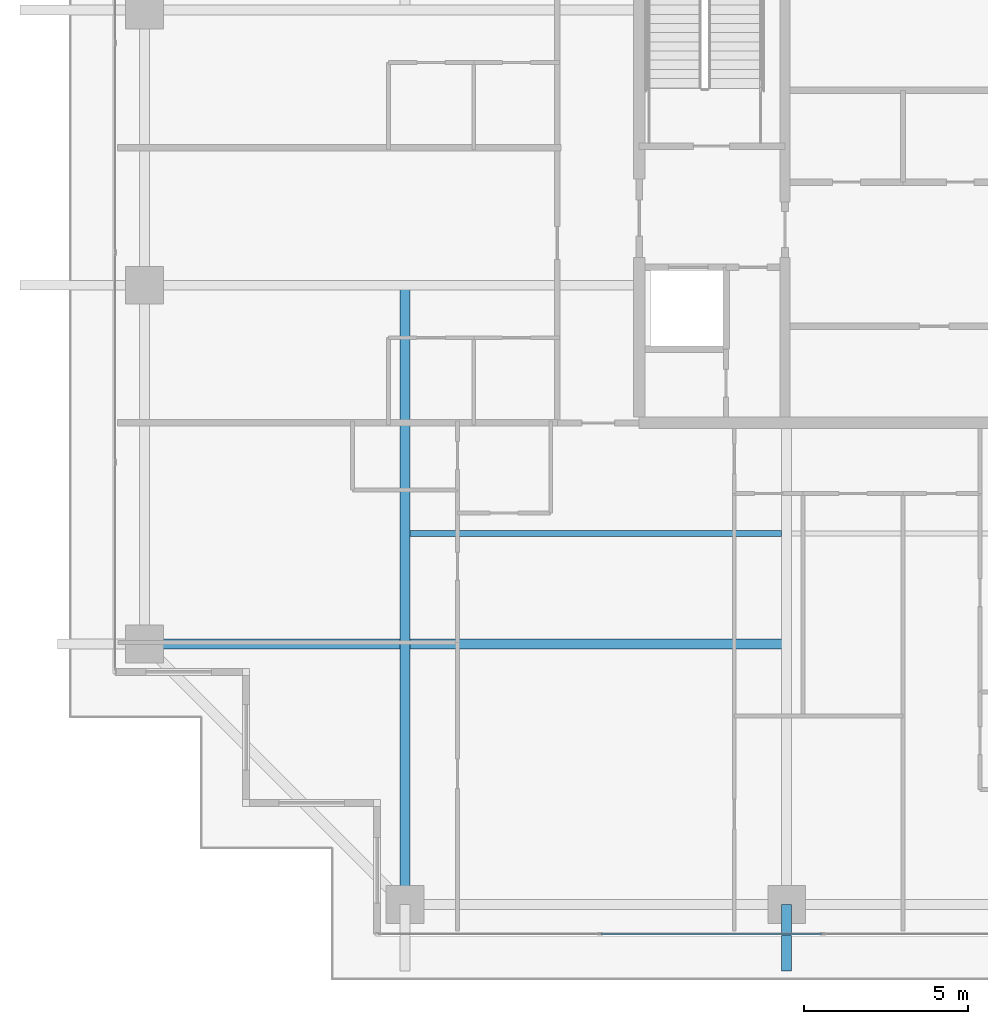
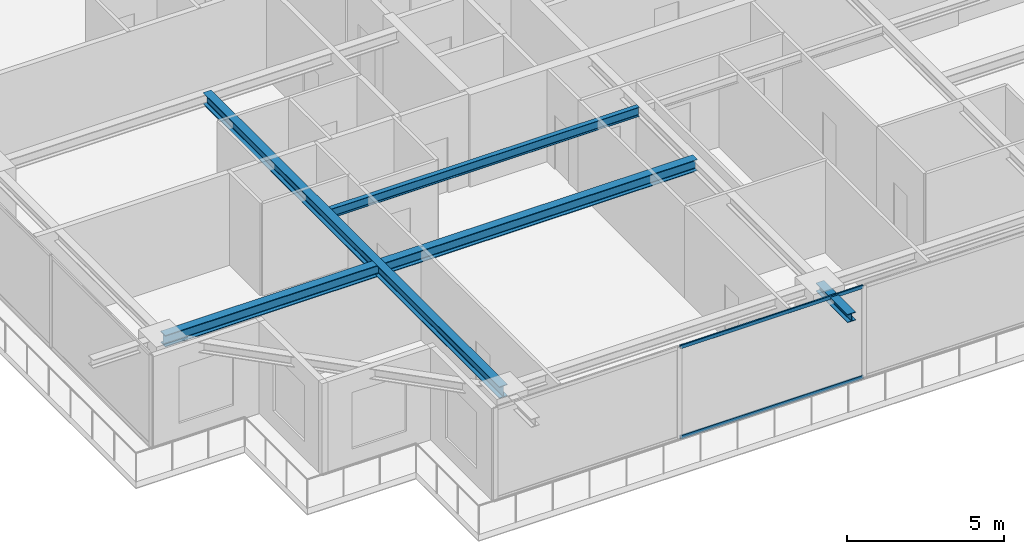
# One storey, part 4 of 38: 4 beams, 2 members, 1 element without a shape of its own.
"""IFC4 building model written with IfcOpenShell, lengths in metres."""

from ifc_helpers import new_model, si_unit, direction, frame, origin, origin_2d, place, context, subcontext, project, spatial, hollow_rectangle, i_section, extrude, source, transform, mapped, material, layer, layer_set, material_profile, profile_set, type_object, element, aggregate, save


model = new_model("IFC4")

# Units and contexts
model_context = context("Model", 3, precision=1e-05, world=origin(), true_north=direction((0.0, 1.0)))
body_context = subcontext(model_context, "Body", "Model", "MODEL_VIEW")
ifc_project = project(units=[si_unit("LENGTHUNIT", "METRE"), si_unit("AREAUNIT", "SQUARE_METRE"), si_unit("VOLUMEUNIT", "CUBIC_METRE"), si_unit("PLANEANGLEUNIT", "RADIAN"), si_unit("MASSUNIT", "GRAM", prefix="KILO")], contexts=[model_context])

# Site, building, storey
site_placement = place(None, origin())
site = spatial("IfcSite", under=ifc_project, at=site_placement, CompositionType="ELEMENT")
building_placement = place(site_placement, origin())
building = spatial("IfcBuilding", under=site, at=building_placement, Name="Serunith Strait Residences", CompositionType="ELEMENT")
storey_placement = place(building_placement, frame((0.0, 0.0, 264.35009765625)))
storey = spatial("IfcBuildingStorey", under=building, at=storey_placement, Name="L66", CompositionType="ELEMENT", Elevation=264.35009765625)

# Beams
ifc_material_1 = material(Name="Steel S355J2", Category="steel")
ifc_material_profile_1 = material_profile(ifc_material_1, i_section(OverallWidth=0.300048828125, OverallDepth=0.449951171875, WebThickness=0.013916015625, FlangeThickness=0.02587890625, FilletRadius=0.027099609375, at=origin_2d()), Name="HEB 450")
ifc_profile_set_1 = profile_set([ifc_material_profile_1], Name="Steel S355J2")
beam_type_1 = type_object("IfcBeamType", Name="BM-HEB450", PredefinedType="BEAM", material=ifc_profile_set_1)
shared_shape_1 = source(origin(), body_context, "Body", "SweptSolid", [
    extrude(i_section(OverallWidth=0.300048828125, OverallDepth=0.449951171875, WebThickness=0.013916015625, FlangeThickness=0.02587890625, FilletRadius=0.027099609375, at=origin_2d()), origin(), (0.0, 0.0, 1.0), 18.89990234375),
])
beam_1_placement = place(storey_placement, frame((16.25, 21.0, 3.36181640625), z_axis=(0.0, -1.0, 0.0), x_axis=(1.0, 0.0, 0.0)))
element("IfcBeam", 1, at=beam_1_placement, inside=storey, type_object=beam_type_1, Name="L66 Orthogonal Corner Girder TC-S1", PredefinedType="BEAM", context=body_context, shape_type="MappedRepresentation", body=[
    mapped(shared_shape_1, transform((0.0, 0.0, 0.0), scale=1.0)),
])
shared_shape_2 = source(origin(), body_context, "Body", "SweptSolid", [
    extrude(i_section(OverallWidth=0.300048828125, OverallDepth=0.449951171875, WebThickness=0.013916015625, FlangeThickness=0.02587890625, FilletRadius=0.027099609375, at=origin_2d()), origin(), (0.0, 0.0, 1.0), 19.599853515625),
])
beam_2_placement = place(storey_placement, frame((27.89990234375, 10.050048828125, 3.36181640625), z_axis=(-1.0, 0.0, 0.0), x_axis=(0.0, -1.0, 0.0)))
element("IfcBeam", 2, at=beam_2_placement, inside=storey, type_object=beam_type_1, Name="L66 Orthogonal Corner Girder TC-W1", PredefinedType="BEAM", context=body_context, shape_type="MappedRepresentation", body=[
    mapped(shared_shape_2, transform((0.0, 0.0, 0.0), scale=1.0)),
])
ifc_material_profile_2 = material_profile(ifc_material_1, i_section(OverallWidth=0.300048828125, OverallDepth=0.320068359375, WebThickness=0.011474609375, FlangeThickness=0.0205078125, FilletRadius=0.027099609375, at=origin_2d()), Name="HEB 320")
ifc_profile_set_2 = profile_set([ifc_material_profile_2], Name="Steel S355J2")
beam_type_2 = type_object("IfcBeamType", Name="BM-HEB320", PredefinedType="BEAM", material=ifc_profile_set_2)
shared_shape_3 = source(origin(), body_context, "Body", "SweptSolid", [
    extrude(i_section(OverallWidth=0.300048828125, OverallDepth=0.320068359375, WebThickness=0.011474609375, FlangeThickness=0.0205078125, FilletRadius=0.027099609375, at=origin_2d()), origin(), (0.0, 0.0, 1.0), 2.030029296875),
])
beam_3_placement = place(storey_placement, frame((27.89990234375, 2.10009765625, 3.39697265625), z_axis=(0.0, -1.0, 0.0), x_axis=(1.0, 0.0, 0.0)))
element("IfcBeam", 3, at=beam_3_placement, inside=storey, type_object=beam_type_2, Name="L67 Cantilevered Balcony Rib TC-S2", PredefinedType="BEAM", context=body_context, shape_type="MappedRepresentation", body=[
    mapped(shared_shape_3, transform((0.0, 0.0, 0.0), scale=1.0)),
])
ifc_material_profile_3 = material_profile(ifc_material_1, i_section(OverallWidth=0.169921875, OverallDepth=0.360107421875, WebThickness=0.008056640625, FlangeThickness=0.0126953125, FilletRadius=0.01806640625, at=origin_2d()), Name="IPE 360")
ifc_profile_set_3 = profile_set([ifc_material_profile_3], Name="Steel S355J2")
beam_type_3 = type_object("IfcBeamType", Name="BM-IPE360", PredefinedType="JOIST", material=ifc_profile_set_3)
shared_shape_4 = source(origin(), body_context, "Body", "SweptSolid", [
    extrude(i_section(OverallWidth=0.169921875, OverallDepth=0.360107421875, WebThickness=0.008056640625, FlangeThickness=0.0126953125, FilletRadius=0.01806640625, at=origin_2d()), origin(), (0.0, 0.0, 1.0), 11.35009765625),
])
beam_4_placement = place(storey_placement, frame((16.39990234375, 13.425048828125, 3.406982421875), z_axis=(1.0, 0.0, 0.0), x_axis=(0.0, 1.0, 0.0)))
element("IfcBeam", 4, at=beam_4_placement, inside=storey, type_object=beam_type_3, Name="L66 Composite Floor Joist 01", PredefinedType="JOIST", context=body_context, shape_type="MappedRepresentation", body=[
    mapped(shared_shape_4, transform((0.0, 0.0, 0.0), scale=1.0)),
])

# Curtain wall, members
ifc_material_2 = material(Name="Pale-Champagne Anodised Aluminium", Category="aluminium")
ifc_layer = layer(ifc_material_2, 0.199951171875, Name="Pale-Champagne Anodised Aluminium")
ifc_layer_set = layer_set([ifc_layer], Name="Pale-Champagne Anodised Aluminium")
curtain_wall_type = type_object("IfcCurtainWallType", Name="CW-SYS4", PredefinedType="NOTDEFINED", material=ifc_layer_set)
curtain_wall_placement = place(storey_placement, origin())
curtain_wall = element("IfcCurtainWall", 5, at=curtain_wall_placement, inside=storey, type_object=curtain_wall_type, Name="L66 S Unitised Fritted Curtain Wall", PredefinedType="NOTDEFINED")
ifc_material_profile_4 = material_profile(ifc_material_2, hollow_rectangle(XDim=0.06005859375, YDim=0.139892578125, WallThickness=0.00341796875, InnerFilletRadius=0.00537109375, OuterFilletRadius=0.0087890625, at=origin_2d()), Name="ALU 140x60x3.5")
ifc_profile_set_4 = profile_set([ifc_material_profile_4], Name="Pale-Champagne Anodised Aluminium")
member_type = type_object("IfcMemberType", Name="CW-SYS4-TRAN", PredefinedType="USERDEFINED", material=ifc_profile_set_4)
shared_shape_5 = source(origin(), body_context, "Body", "SweptSolid", [
    extrude(hollow_rectangle(XDim=0.06005859375, YDim=0.139892578125, WallThickness=0.00341796875, InnerFilletRadius=0.00537109375, OuterFilletRadius=0.0087890625, at=origin_2d()), origin(), (0.0, 0.0, 1.0), 6.735107421875),
])
member_1_placement = place(storey_placement, frame((22.232421875, 1.199951171875, 0.02978515625), z_axis=(1.0, 0.0, 0.0), x_axis=(0.0, 1.0, 0.0)))
member_1 = element("IfcMember", 6, at=member_1_placement, type_object=member_type, Name="CW-4 transom 2.1", ObjectType="TRANSOM", PredefinedType="USERDEFINED", context=body_context, shape_type="MappedRepresentation", body=[
    mapped(shared_shape_5, transform((0.0, 0.0, 0.0), scale=1.0)),
])
member_2_placement = place(storey_placement, frame((22.232421875, 1.199951171875, 3.544921875), z_axis=(1.0, 0.0, 0.0), x_axis=(0.0, 1.0, 0.0)))
member_2 = element("IfcMember", 7, at=member_2_placement, type_object=member_type, Name="CW-4 transom 2.2", ObjectType="TRANSOM", PredefinedType="USERDEFINED", context=body_context, shape_type="MappedRepresentation", body=[
    mapped(shared_shape_5, transform((0.0, 0.0, 0.0), scale=1.0)),
])
aggregate(curtain_wall, [member_1, member_2])

save(model, "model.ifc")
